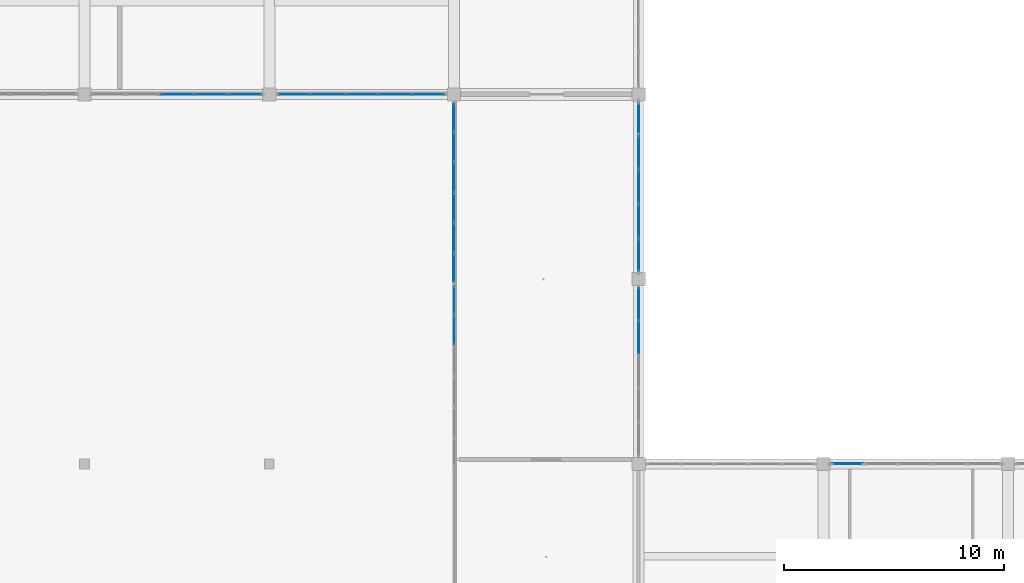
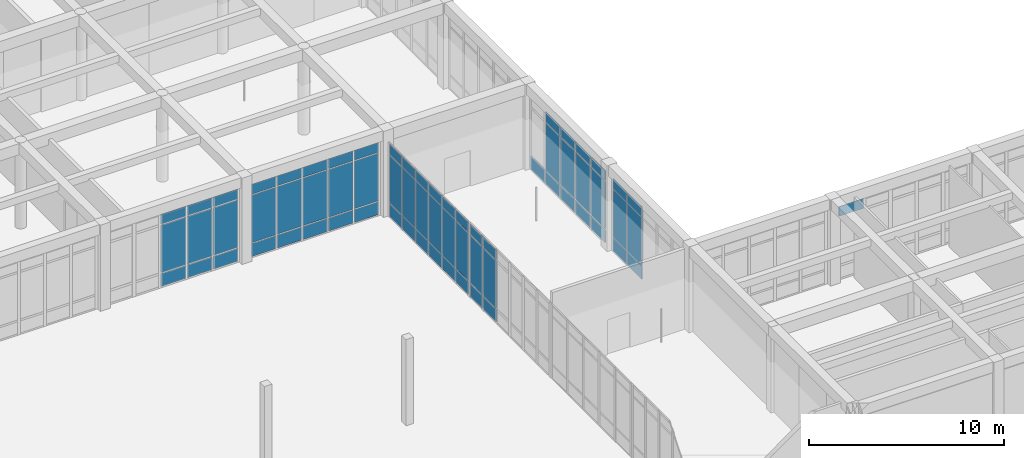
# One storey, part 64 of 157: 68 plates, 7 elements without a shape of their own.
"""IFC4 building model written with IfcOpenShell, lengths in metres."""

from ifc_helpers import new_model, si_unit, direction, frame, origin, origin_2d, place, context, subcontext, project, spatial, rectangle, extrude, material, layer, layer_set, type_object, element, aggregate, save


model = new_model("IFC4")

# Units and contexts
model_context = context("Model", 3, precision=1e-05, world=origin(), true_north=direction((0.0, 1.0)))
body_context = subcontext(model_context, "Body", "Model", "MODEL_VIEW")
ifc_project = project(units=[si_unit("LENGTHUNIT", "METRE"), si_unit("AREAUNIT", "SQUARE_METRE"), si_unit("VOLUMEUNIT", "CUBIC_METRE"), si_unit("PLANEANGLEUNIT", "RADIAN"), si_unit("MASSUNIT", "GRAM", prefix="KILO")], contexts=[model_context])

# Site, building, storey
site_placement = place(None, origin())
site = spatial("IfcSite", under=ifc_project, at=site_placement, CompositionType="ELEMENT")
building_placement = place(site_placement, origin())
building = spatial("IfcBuilding", under=site, at=building_placement, Name="Varncliffe General Hospital", CompositionType="ELEMENT")
storey_placement = place(building_placement, frame((0.0, 0.0, 5.39990234375)))
storey = spatial("IfcBuildingStorey", under=building, at=storey_placement, Name="L01", CompositionType="ELEMENT", Elevation=5.39990234375)

# Curtain wall, plates
ifc_material = material(Name="Triple low-E argon insulated vision glazing", Category="glass")
curtain_wall_type_1 = type_object("IfcCurtainWallType", Name="Unitised Glazed Curtain Wall CW70 (7724x4640)", PredefinedType="USERDEFINED", material=ifc_material)
curtain_wall_1_placement = place(storey_placement, origin())
curtain_wall_1 = element("IfcCurtainWall", 1, at=curtain_wall_1_placement, inside=storey, type_object=curtain_wall_type_1, Name="L01 Glazed Curtain Wall CW70-58", ObjectType="GLAZED CURTAIN WALL", PredefinedType="USERDEFINED")
ifc_layer_1 = layer(ifc_material, 0.0439453125)
ifc_layer_set_1 = layer_set([ifc_layer_1], Name="Triple low-E argon insulated vision glazing")
plate_type_1 = type_object("IfcPlateType", Name="Curtain Wall Glazing Panel CP12 (44mm)", PredefinedType="CURTAIN_PANEL", material=ifc_layer_set_1)
plate_1_placement = place(storey_placement, frame((117.60009765625, 48.07080078125, 0.06005859375), z_axis=(0.0, 0.0, 1.0), x_axis=(0.0, -1.0, 0.0)))
plate_1 = element("IfcPlate", 2, at=plate_1_placement, type_object=plate_type_1, Name="CW70 panel 1.1", PredefinedType="CURTAIN_PANEL", context=body_context, shape_type="SweptSolid", body=[
    extrude(rectangle(XDim=1.432373046875, YDim=0.0439453125, at=origin_2d()), origin(), (0.0, 0.0, 1.0), 0.81005859375),
])
plate_2_placement = place(storey_placement, frame((117.60009765625, 48.07080078125, 0.93017578125), z_axis=(0.0, 0.0, 1.0), x_axis=(0.0, -1.0, 0.0)))
plate_2 = element("IfcPlate", 3, at=plate_2_placement, type_object=plate_type_1, Name="CW70 panel 1.2", PredefinedType="CURTAIN_PANEL", context=body_context, shape_type="SweptSolid", body=[
    extrude(rectangle(XDim=1.432373046875, YDim=0.0439453125, at=origin_2d()), origin(), (0.0, 0.0, 1.0), 2.97998046875),
])
plate_3_placement = place(storey_placement, frame((117.60009765625, 48.07080078125, 3.97021484375), z_axis=(0.0, 0.0, 1.0), x_axis=(0.0, -1.0, 0.0)))
plate_3 = element("IfcPlate", 4, at=plate_3_placement, type_object=plate_type_1, Name="CW70 panel 1.3", PredefinedType="CURTAIN_PANEL", context=body_context, shape_type="SweptSolid", body=[
    extrude(rectangle(XDim=1.432373046875, YDim=0.0439453125, at=origin_2d()), origin(), (0.0, 0.0, 1.0), 0.610107421875),
])
plate_4_placement = place(storey_placement, frame((117.60009765625, 46.544921875, 0.06005859375), z_axis=(0.0, 0.0, 1.0), x_axis=(0.0, -1.0, 0.0)))
plate_4 = element("IfcPlate", 5, at=plate_4_placement, type_object=plate_type_1, Name="CW70 panel 2.1", PredefinedType="CURTAIN_PANEL", context=body_context, shape_type="SweptSolid", body=[
    extrude(rectangle(XDim=1.4697265625, YDim=0.0439453125, at=origin_2d()), origin(), (0.0, 0.0, 1.0), 0.81005859375),
])
plate_5_placement = place(storey_placement, frame((117.60009765625, 46.544921875, 0.93017578125), z_axis=(0.0, 0.0, 1.0), x_axis=(0.0, -1.0, 0.0)))
plate_5 = element("IfcPlate", 6, at=plate_5_placement, type_object=plate_type_1, Name="CW70 panel 2.2", PredefinedType="CURTAIN_PANEL", context=body_context, shape_type="SweptSolid", body=[
    extrude(rectangle(XDim=1.4697265625, YDim=0.0439453125, at=origin_2d()), origin(), (0.0, 0.0, 1.0), 2.97998046875),
])
plate_6_placement = place(storey_placement, frame((117.60009765625, 46.544921875, 3.97021484375), z_axis=(0.0, 0.0, 1.0), x_axis=(0.0, -1.0, 0.0)))
plate_6 = element("IfcPlate", 7, at=plate_6_placement, type_object=plate_type_1, Name="CW70 panel 2.3", PredefinedType="CURTAIN_PANEL", context=body_context, shape_type="SweptSolid", body=[
    extrude(rectangle(XDim=1.4697265625, YDim=0.0439453125, at=origin_2d()), origin(), (0.0, 0.0, 1.0), 0.610107421875),
])
aggregate(curtain_wall_1, [plate_1, plate_2, plate_3, plate_4, plate_5, plate_6])

curtain_wall_type_2 = type_object("IfcCurtainWallType", Name="Unitised Glazed Curtain Wall CW14 (8260x4640)", PredefinedType="USERDEFINED", material=ifc_material)
curtain_wall_2_placement = place(storey_placement, origin())
curtain_wall_2 = element("IfcCurtainWall", 8, at=curtain_wall_2_placement, inside=storey, type_object=curtain_wall_type_2, Name="L01 Glazed Curtain Wall CW14-100", ObjectType="GLAZED CURTAIN WALL", PredefinedType="USERDEFINED")
plate_7_placement = place(storey_placement, frame((109.199951171875, 49.708740234375, 0.06005859375), z_axis=(0.0, 0.0, 1.0), x_axis=(0.0, 1.0, 0.0)))
plate_7 = element("IfcPlate", 9, at=plate_7_placement, type_object=plate_type_1, Name="CW14 panel 1.1", PredefinedType="CURTAIN_PANEL", context=body_context, shape_type="SweptSolid", body=[
    extrude(rectangle(XDim=1.26416015625, YDim=0.0439453125, at=origin_2d()), origin(), (0.0, 0.0, 1.0), 0.81005859375),
])
plate_8_placement = place(storey_placement, frame((109.199951171875, 49.708740234375, 0.93017578125), z_axis=(0.0, 0.0, 1.0), x_axis=(0.0, 1.0, 0.0)))
plate_8 = element("IfcPlate", 10, at=plate_8_placement, type_object=plate_type_1, Name="CW14 panel 1.2", PredefinedType="CURTAIN_PANEL", context=body_context, shape_type="SweptSolid", body=[
    extrude(rectangle(XDim=1.26416015625, YDim=0.0439453125, at=origin_2d()), origin(), (0.0, 0.0, 1.0), 2.97998046875),
])
plate_9_placement = place(storey_placement, frame((109.199951171875, 49.708740234375, 3.97021484375), z_axis=(0.0, 0.0, 1.0), x_axis=(0.0, 1.0, 0.0)))
plate_9 = element("IfcPlate", 11, at=plate_9_placement, type_object=plate_type_1, Name="CW14 panel 1.3", PredefinedType="CURTAIN_PANEL", context=body_context, shape_type="SweptSolid", body=[
    extrude(rectangle(XDim=1.26416015625, YDim=0.0439453125, at=origin_2d()), origin(), (0.0, 0.0, 1.0), 0.610107421875),
])
plate_10_placement = place(storey_placement, frame((109.199951171875, 51.066650390625, 0.06005859375), z_axis=(0.0, 0.0, 1.0), x_axis=(0.0, 1.0, 0.0)))
plate_10 = element("IfcPlate", 12, at=plate_10_placement, type_object=plate_type_1, Name="CW14 panel 2.1", PredefinedType="CURTAIN_PANEL", context=body_context, shape_type="SweptSolid", body=[
    extrude(rectangle(XDim=1.3017578125, YDim=0.0439453125, at=origin_2d()), origin(), (0.0, 0.0, 1.0), 0.81005859375),
])
plate_11_placement = place(storey_placement, frame((109.199951171875, 51.066650390625, 0.93017578125), z_axis=(0.0, 0.0, 1.0), x_axis=(0.0, 1.0, 0.0)))
plate_11 = element("IfcPlate", 13, at=plate_11_placement, type_object=plate_type_1, Name="CW14 panel 2.2", PredefinedType="CURTAIN_PANEL", context=body_context, shape_type="SweptSolid", body=[
    extrude(rectangle(XDim=1.3017578125, YDim=0.0439453125, at=origin_2d()), origin(), (0.0, 0.0, 1.0), 2.97998046875),
])
plate_12_placement = place(storey_placement, frame((109.199951171875, 51.066650390625, 3.97021484375), z_axis=(0.0, 0.0, 1.0), x_axis=(0.0, 1.0, 0.0)))
plate_12 = element("IfcPlate", 14, at=plate_12_placement, type_object=plate_type_1, Name="CW14 panel 2.3", PredefinedType="CURTAIN_PANEL", context=body_context, shape_type="SweptSolid", body=[
    extrude(rectangle(XDim=1.3017578125, YDim=0.0439453125, at=origin_2d()), origin(), (0.0, 0.0, 1.0), 0.610107421875),
])
plate_13_placement = place(storey_placement, frame((109.199951171875, 52.443359375, 0.06005859375), z_axis=(0.0, 0.0, 1.0), x_axis=(0.0, 1.0, 0.0)))
plate_13 = element("IfcPlate", 15, at=plate_13_placement, type_object=plate_type_1, Name="CW14 panel 3.1", PredefinedType="CURTAIN_PANEL", context=body_context, shape_type="SweptSolid", body=[
    extrude(rectangle(XDim=1.3017578125, YDim=0.0439453125, at=origin_2d()), origin(), (0.0, 0.0, 1.0), 0.81005859375),
])
plate_14_placement = place(storey_placement, frame((109.199951171875, 52.443359375, 0.93017578125), z_axis=(0.0, 0.0, 1.0), x_axis=(0.0, 1.0, 0.0)))
plate_14 = element("IfcPlate", 16, at=plate_14_placement, type_object=plate_type_1, Name="CW14 panel 3.2", PredefinedType="CURTAIN_PANEL", context=body_context, shape_type="SweptSolid", body=[
    extrude(rectangle(XDim=1.3017578125, YDim=0.0439453125, at=origin_2d()), origin(), (0.0, 0.0, 1.0), 2.97998046875),
])
plate_15_placement = place(storey_placement, frame((109.199951171875, 52.443359375, 3.97021484375), z_axis=(0.0, 0.0, 1.0), x_axis=(0.0, 1.0, 0.0)))
plate_15 = element("IfcPlate", 17, at=plate_15_placement, type_object=plate_type_1, Name="CW14 panel 3.3", PredefinedType="CURTAIN_PANEL", context=body_context, shape_type="SweptSolid", body=[
    extrude(rectangle(XDim=1.3017578125, YDim=0.0439453125, at=origin_2d()), origin(), (0.0, 0.0, 1.0), 0.610107421875),
])
plate_16_placement = place(storey_placement, frame((109.199951171875, 53.820068359375, 0.06005859375), z_axis=(0.0, 0.0, 1.0), x_axis=(0.0, 1.0, 0.0)))
plate_16 = element("IfcPlate", 18, at=plate_16_placement, type_object=plate_type_1, Name="CW14 panel 4.1", PredefinedType="CURTAIN_PANEL", context=body_context, shape_type="SweptSolid", body=[
    extrude(rectangle(XDim=1.3017578125, YDim=0.0439453125, at=origin_2d()), origin(), (0.0, 0.0, 1.0), 0.81005859375),
])
plate_17_placement = place(storey_placement, frame((109.199951171875, 53.820068359375, 0.93017578125), z_axis=(0.0, 0.0, 1.0), x_axis=(0.0, 1.0, 0.0)))
plate_17 = element("IfcPlate", 19, at=plate_17_placement, type_object=plate_type_1, Name="CW14 panel 4.2", PredefinedType="CURTAIN_PANEL", context=body_context, shape_type="SweptSolid", body=[
    extrude(rectangle(XDim=1.3017578125, YDim=0.0439453125, at=origin_2d()), origin(), (0.0, 0.0, 1.0), 2.97998046875),
])
plate_18_placement = place(storey_placement, frame((109.199951171875, 53.820068359375, 3.97021484375), z_axis=(0.0, 0.0, 1.0), x_axis=(0.0, 1.0, 0.0)))
plate_18 = element("IfcPlate", 20, at=plate_18_placement, type_object=plate_type_1, Name="CW14 panel 4.3", PredefinedType="CURTAIN_PANEL", context=body_context, shape_type="SweptSolid", body=[
    extrude(rectangle(XDim=1.3017578125, YDim=0.0439453125, at=origin_2d()), origin(), (0.0, 0.0, 1.0), 0.610107421875),
])
plate_19_placement = place(storey_placement, frame((109.199951171875, 55.197021484375, 0.06005859375), z_axis=(0.0, 0.0, 1.0), x_axis=(0.0, 1.0, 0.0)))
plate_19 = element("IfcPlate", 21, at=plate_19_placement, type_object=plate_type_1, Name="CW14 panel 5.1", PredefinedType="CURTAIN_PANEL", context=body_context, shape_type="SweptSolid", body=[
    extrude(rectangle(XDim=1.3017578125, YDim=0.0439453125, at=origin_2d()), origin(), (0.0, 0.0, 1.0), 0.81005859375),
])
plate_20_placement = place(storey_placement, frame((109.199951171875, 55.197021484375, 0.93017578125), z_axis=(0.0, 0.0, 1.0), x_axis=(0.0, 1.0, 0.0)))
plate_20 = element("IfcPlate", 22, at=plate_20_placement, type_object=plate_type_1, Name="CW14 panel 5.2", PredefinedType="CURTAIN_PANEL", context=body_context, shape_type="SweptSolid", body=[
    extrude(rectangle(XDim=1.3017578125, YDim=0.0439453125, at=origin_2d()), origin(), (0.0, 0.0, 1.0), 2.97998046875),
])
plate_21_placement = place(storey_placement, frame((109.199951171875, 55.197021484375, 3.97021484375), z_axis=(0.0, 0.0, 1.0), x_axis=(0.0, 1.0, 0.0)))
plate_21 = element("IfcPlate", 23, at=plate_21_placement, type_object=plate_type_1, Name="CW14 panel 5.3", PredefinedType="CURTAIN_PANEL", context=body_context, shape_type="SweptSolid", body=[
    extrude(rectangle(XDim=1.3017578125, YDim=0.0439453125, at=origin_2d()), origin(), (0.0, 0.0, 1.0), 0.610107421875),
])
plate_22_placement = place(storey_placement, frame((109.199951171875, 56.554931640625, 0.06005859375), z_axis=(0.0, 0.0, 1.0), x_axis=(0.0, 1.0, 0.0)))
plate_22 = element("IfcPlate", 24, at=plate_22_placement, type_object=plate_type_1, Name="CW14 panel 6.1", PredefinedType="CURTAIN_PANEL", context=body_context, shape_type="SweptSolid", body=[
    extrude(rectangle(XDim=1.26416015625, YDim=0.0439453125, at=origin_2d()), origin(), (0.0, 0.0, 1.0), 0.81005859375),
])
plate_23_placement = place(storey_placement, frame((109.199951171875, 56.554931640625, 0.93017578125), z_axis=(0.0, 0.0, 1.0), x_axis=(0.0, 1.0, 0.0)))
plate_23 = element("IfcPlate", 25, at=plate_23_placement, type_object=plate_type_1, Name="CW14 panel 6.2", PredefinedType="CURTAIN_PANEL", context=body_context, shape_type="SweptSolid", body=[
    extrude(rectangle(XDim=1.26416015625, YDim=0.0439453125, at=origin_2d()), origin(), (0.0, 0.0, 1.0), 2.97998046875),
])
plate_24_placement = place(storey_placement, frame((109.199951171875, 56.554931640625, 3.97021484375), z_axis=(0.0, 0.0, 1.0), x_axis=(0.0, 1.0, 0.0)))
plate_24 = element("IfcPlate", 26, at=plate_24_placement, type_object=plate_type_1, Name="CW14 panel 6.3", PredefinedType="CURTAIN_PANEL", context=body_context, shape_type="SweptSolid", body=[
    extrude(rectangle(XDim=1.26416015625, YDim=0.0439453125, at=origin_2d()), origin(), (0.0, 0.0, 1.0), 0.610107421875),
])
aggregate(curtain_wall_2, [plate_7, plate_8, plate_9, plate_10, plate_11, plate_12, plate_13, plate_14, plate_15, plate_16, plate_17, plate_18, plate_19, plate_20, plate_21, plate_22, plate_23, plate_24])

curtain_wall_type_3 = type_object("IfcCurtainWallType", Name="Unitised Glazed Curtain Wall CW85 (7804x4640)", PredefinedType="USERDEFINED", material=ifc_material)
curtain_wall_3_placement = place(storey_placement, origin())
curtain_wall_3 = element("IfcCurtainWall", 27, at=curtain_wall_3_placement, inside=storey, type_object=curtain_wall_type_3, Name="L01 Glazed Curtain Wall CW85-57", ObjectType="GLAZED CURTAIN WALL", PredefinedType="USERDEFINED")
ifc_layer_2 = layer(ifc_material, 0.035888671875)
ifc_layer_set_2 = layer_set([ifc_layer_2], Name="Triple low-E argon insulated vision glazing")
plate_type_2 = type_object("IfcPlateType", Name="Curtain Wall Glazing Panel CP27 (36mm)", PredefinedType="CURTAIN_PANEL", material=ifc_layer_set_2)
plate_25_placement = place(storey_placement, frame((117.60009765625, 56.5029296875, 0.06494140625), z_axis=(0.0, 0.0, 1.0), x_axis=(0.0, -1.0, 0.0)))
plate_25 = element("IfcPlate", 28, at=plate_25_placement, type_object=plate_type_2, Name="CW85 panel 1.1", PredefinedType="CURTAIN_PANEL", context=body_context, shape_type="SweptSolid", body=[
    extrude(rectangle(XDim=1.4482421875, YDim=0.035888671875, at=origin_2d()), origin(), (0.0, 0.0, 1.0), 0.802490234375),
])
plate_26_placement = place(storey_placement, frame((117.60009765625, 54.960693359375, 0.06494140625), z_axis=(0.0, 0.0, 1.0), x_axis=(0.0, -1.0, 0.0)))
plate_26 = element("IfcPlate", 29, at=plate_26_placement, type_object=plate_type_2, Name="CW85 panel 2.1", PredefinedType="CURTAIN_PANEL", context=body_context, shape_type="SweptSolid", body=[
    extrude(rectangle(XDim=1.48583984375, YDim=0.035888671875, at=origin_2d()), origin(), (0.0, 0.0, 1.0), 0.802490234375),
])
plate_27_placement = place(storey_placement, frame((117.60009765625, 54.960693359375, 0.9326171875), z_axis=(0.0, 0.0, 1.0), x_axis=(0.0, -1.0, 0.0)))
plate_27 = element("IfcPlate", 30, at=plate_27_placement, type_object=plate_type_2, Name="CW85 panel 2.2", PredefinedType="CURTAIN_PANEL", context=body_context, shape_type="SweptSolid", body=[
    extrude(rectangle(XDim=1.48583984375, YDim=0.035888671875, at=origin_2d()), origin(), (0.0, 0.0, 1.0), 2.97509765625),
])
plate_28_placement = place(storey_placement, frame((117.60009765625, 54.960693359375, 3.97265625), z_axis=(0.0, 0.0, 1.0), x_axis=(0.0, -1.0, 0.0)))
plate_28 = element("IfcPlate", 31, at=plate_28_placement, type_object=plate_type_2, Name="CW85 panel 2.3", PredefinedType="CURTAIN_PANEL", context=body_context, shape_type="SweptSolid", body=[
    extrude(rectangle(XDim=1.48583984375, YDim=0.035888671875, at=origin_2d()), origin(), (0.0, 0.0, 1.0), 0.6025390625),
])
plate_29_placement = place(storey_placement, frame((117.60009765625, 53.39990234375, 0.06494140625), z_axis=(0.0, 0.0, 1.0), x_axis=(0.0, -1.0, 0.0)))
plate_29 = element("IfcPlate", 32, at=plate_29_placement, type_object=plate_type_2, Name="CW85 panel 3.1", PredefinedType="CURTAIN_PANEL", context=body_context, shape_type="SweptSolid", body=[
    extrude(rectangle(XDim=1.48583984375, YDim=0.035888671875, at=origin_2d()), origin(), (0.0, 0.0, 1.0), 0.802490234375),
])
plate_30_placement = place(storey_placement, frame((117.60009765625, 53.39990234375, 0.9326171875), z_axis=(0.0, 0.0, 1.0), x_axis=(0.0, -1.0, 0.0)))
plate_30 = element("IfcPlate", 33, at=plate_30_placement, type_object=plate_type_2, Name="CW85 panel 3.2", PredefinedType="CURTAIN_PANEL", context=body_context, shape_type="SweptSolid", body=[
    extrude(rectangle(XDim=1.48583984375, YDim=0.035888671875, at=origin_2d()), origin(), (0.0, 0.0, 1.0), 2.97509765625),
])
plate_31_placement = place(storey_placement, frame((117.60009765625, 53.39990234375, 3.97265625), z_axis=(0.0, 0.0, 1.0), x_axis=(0.0, -1.0, 0.0)))
plate_31 = element("IfcPlate", 34, at=plate_31_placement, type_object=plate_type_2, Name="CW85 panel 3.3", PredefinedType="CURTAIN_PANEL", context=body_context, shape_type="SweptSolid", body=[
    extrude(rectangle(XDim=1.48583984375, YDim=0.035888671875, at=origin_2d()), origin(), (0.0, 0.0, 1.0), 0.6025390625),
])
plate_32_placement = place(storey_placement, frame((117.60009765625, 51.839111328125, 0.06494140625), z_axis=(0.0, 0.0, 1.0), x_axis=(0.0, -1.0, 0.0)))
plate_32 = element("IfcPlate", 35, at=plate_32_placement, type_object=plate_type_2, Name="CW85 panel 4.1", PredefinedType="CURTAIN_PANEL", context=body_context, shape_type="SweptSolid", body=[
    extrude(rectangle(XDim=1.48583984375, YDim=0.035888671875, at=origin_2d()), origin(), (0.0, 0.0, 1.0), 0.802490234375),
])
plate_33_placement = place(storey_placement, frame((117.60009765625, 51.839111328125, 0.9326171875), z_axis=(0.0, 0.0, 1.0), x_axis=(0.0, -1.0, 0.0)))
plate_33 = element("IfcPlate", 36, at=plate_33_placement, type_object=plate_type_2, Name="CW85 panel 4.2", PredefinedType="CURTAIN_PANEL", context=body_context, shape_type="SweptSolid", body=[
    extrude(rectangle(XDim=1.48583984375, YDim=0.035888671875, at=origin_2d()), origin(), (0.0, 0.0, 1.0), 2.97509765625),
])
plate_34_placement = place(storey_placement, frame((117.60009765625, 51.839111328125, 3.97265625), z_axis=(0.0, 0.0, 1.0), x_axis=(0.0, -1.0, 0.0)))
plate_34 = element("IfcPlate", 37, at=plate_34_placement, type_object=plate_type_2, Name="CW85 panel 4.3", PredefinedType="CURTAIN_PANEL", context=body_context, shape_type="SweptSolid", body=[
    extrude(rectangle(XDim=1.48583984375, YDim=0.035888671875, at=origin_2d()), origin(), (0.0, 0.0, 1.0), 0.6025390625),
])
plate_35_placement = place(storey_placement, frame((117.60009765625, 50.297119140625, 0.06494140625), z_axis=(0.0, 0.0, 1.0), x_axis=(0.0, -1.0, 0.0)))
plate_35 = element("IfcPlate", 38, at=plate_35_placement, type_object=plate_type_2, Name="CW85 panel 5.1", PredefinedType="CURTAIN_PANEL", context=body_context, shape_type="SweptSolid", body=[
    extrude(rectangle(XDim=1.4482421875, YDim=0.035888671875, at=origin_2d()), origin(), (0.0, 0.0, 1.0), 0.802490234375),
])
plate_36_placement = place(storey_placement, frame((117.60009765625, 50.297119140625, 0.9326171875), z_axis=(0.0, 0.0, 1.0), x_axis=(0.0, -1.0, 0.0)))
plate_36 = element("IfcPlate", 39, at=plate_36_placement, type_object=plate_type_2, Name="CW85 panel 5.2", PredefinedType="CURTAIN_PANEL", context=body_context, shape_type="SweptSolid", body=[
    extrude(rectangle(XDim=1.4482421875, YDim=0.035888671875, at=origin_2d()), origin(), (0.0, 0.0, 1.0), 2.97509765625),
])
plate_37_placement = place(storey_placement, frame((117.60009765625, 50.297119140625, 3.97265625), z_axis=(0.0, 0.0, 1.0), x_axis=(0.0, -1.0, 0.0)))
plate_37 = element("IfcPlate", 40, at=plate_37_placement, type_object=plate_type_2, Name="CW85 panel 5.3", PredefinedType="CURTAIN_PANEL", context=body_context, shape_type="SweptSolid", body=[
    extrude(rectangle(XDim=1.4482421875, YDim=0.035888671875, at=origin_2d()), origin(), (0.0, 0.0, 1.0), 0.6025390625),
])
aggregate(curtain_wall_3, [plate_25, plate_26, plate_27, plate_28, plate_29, plate_30, plate_31, plate_32, plate_33, plate_34, plate_35, plate_36, plate_37])

# Curtain wall, plate
curtain_wall_4_placement = place(storey_placement, origin())
curtain_wall_4 = element("IfcCurtainWall", 41, at=curtain_wall_4_placement, inside=storey, type_object=curtain_wall_type_3, Name="L01 Glazed Curtain Wall CW85-60", ObjectType="GLAZED CURTAIN WALL", PredefinedType="USERDEFINED")
plate_38_placement = place(storey_placement, frame((127.09716796875, 40.800048828125, 3.97265625), z_axis=(0.0, 0.0, 1.0), x_axis=(1.0, 0.0, 0.0)))
plate_38 = element("IfcPlate", 42, at=plate_38_placement, type_object=plate_type_2, Name="CW85 panel 1.3", PredefinedType="CURTAIN_PANEL", context=body_context, shape_type="SweptSolid", body=[
    extrude(rectangle(XDim=1.4482421875, YDim=0.035888671875, at=origin_2d()), origin(), (0.0, 0.0, 1.0), 0.6025390625),
])
aggregate(curtain_wall_4, [plate_38])

# Curtain wall, plates
curtain_wall_type_4 = type_object("IfcCurtainWallType", Name="Unitised Glazed Curtain Wall CW86 (8340x4640)", PredefinedType="USERDEFINED", material=ifc_material)
curtain_wall_5_placement = place(storey_placement, origin())
curtain_wall_5 = element("IfcCurtainWall", 43, at=curtain_wall_5_placement, inside=storey, type_object=curtain_wall_type_4, Name="L01 Glazed Curtain Wall CW86-99", ObjectType="GLAZED CURTAIN WALL", PredefinedType="USERDEFINED")
plate_39_placement = place(storey_placement, frame((109.199951171875, 46.87646484375, 0.06494140625), z_axis=(0.0, 0.0, 1.0), x_axis=(0.0, 1.0, 0.0)))
plate_39 = element("IfcPlate", 44, at=plate_39_placement, type_object=plate_type_2, Name="CW86 panel 5.1", PredefinedType="CURTAIN_PANEL", context=body_context, shape_type="SweptSolid", body=[
    extrude(rectangle(XDim=1.315185546875, YDim=0.035888671875, at=origin_2d()), origin(), (0.0, 0.0, 1.0), 0.802490234375),
])
plate_40_placement = place(storey_placement, frame((109.199951171875, 46.87646484375, 0.9326171875), z_axis=(0.0, 0.0, 1.0), x_axis=(0.0, 1.0, 0.0)))
plate_40 = element("IfcPlate", 45, at=plate_40_placement, type_object=plate_type_2, Name="CW86 panel 5.2", PredefinedType="CURTAIN_PANEL", context=body_context, shape_type="SweptSolid", body=[
    extrude(rectangle(XDim=1.315185546875, YDim=0.035888671875, at=origin_2d()), origin(), (0.0, 0.0, 1.0), 2.97509765625),
])
plate_41_placement = place(storey_placement, frame((109.199951171875, 46.87646484375, 3.97265625), z_axis=(0.0, 0.0, 1.0), x_axis=(0.0, 1.0, 0.0)))
plate_41 = element("IfcPlate", 46, at=plate_41_placement, type_object=plate_type_2, Name="CW86 panel 5.3", PredefinedType="CURTAIN_PANEL", context=body_context, shape_type="SweptSolid", body=[
    extrude(rectangle(XDim=1.315185546875, YDim=0.035888671875, at=origin_2d()), origin(), (0.0, 0.0, 1.0), 0.6025390625),
])
plate_42_placement = place(storey_placement, frame((109.199951171875, 48.247802734375, 0.06494140625), z_axis=(0.0, 0.0, 1.0), x_axis=(0.0, 1.0, 0.0)))
plate_42 = element("IfcPlate", 47, at=plate_42_placement, type_object=plate_type_2, Name="CW86 panel 6.1", PredefinedType="CURTAIN_PANEL", context=body_context, shape_type="SweptSolid", body=[
    extrude(rectangle(XDim=1.277587890625, YDim=0.035888671875, at=origin_2d()), origin(), (0.0, 0.0, 1.0), 0.802490234375),
])
plate_43_placement = place(storey_placement, frame((109.199951171875, 48.247802734375, 0.9326171875), z_axis=(0.0, 0.0, 1.0), x_axis=(0.0, 1.0, 0.0)))
plate_43 = element("IfcPlate", 48, at=plate_43_placement, type_object=plate_type_2, Name="CW86 panel 6.2", PredefinedType="CURTAIN_PANEL", context=body_context, shape_type="SweptSolid", body=[
    extrude(rectangle(XDim=1.277587890625, YDim=0.035888671875, at=origin_2d()), origin(), (0.0, 0.0, 1.0), 2.97509765625),
])
plate_44_placement = place(storey_placement, frame((109.199951171875, 48.247802734375, 3.97265625), z_axis=(0.0, 0.0, 1.0), x_axis=(0.0, 1.0, 0.0)))
plate_44 = element("IfcPlate", 49, at=plate_44_placement, type_object=plate_type_2, Name="CW86 panel 6.3", PredefinedType="CURTAIN_PANEL", context=body_context, shape_type="SweptSolid", body=[
    extrude(rectangle(XDim=1.277587890625, YDim=0.035888671875, at=origin_2d()), origin(), (0.0, 0.0, 1.0), 0.6025390625),
])
aggregate(curtain_wall_5, [plate_39, plate_40, plate_41, plate_42, plate_43, plate_44])

curtain_wall_6_placement = place(storey_placement, origin())
curtain_wall_6 = element("IfcCurtainWall", 50, at=curtain_wall_6_placement, inside=storey, type_object=curtain_wall_type_3, Name="L01 Glazed Curtain Wall CW85-102", ObjectType="GLAZED CURTAIN WALL", PredefinedType="USERDEFINED")
plate_45_placement = place(storey_placement, frame((99.702880859375, 57.60009765625, 0.06494140625), z_axis=(0.0, 0.0, 1.0), x_axis=(-1.0, 0.0, 0.0)))
plate_45 = element("IfcPlate", 51, at=plate_45_placement, type_object=plate_type_2, Name="CW85 panel 1.1", PredefinedType="CURTAIN_PANEL", context=body_context, shape_type="SweptSolid", body=[
    extrude(rectangle(XDim=1.4482421875, YDim=0.035888671875, at=origin_2d()), origin(), (0.0, 0.0, 1.0), 0.802490234375),
])
plate_46_placement = place(storey_placement, frame((99.702880859375, 57.60009765625, 0.9326171875), z_axis=(0.0, 0.0, 1.0), x_axis=(-1.0, 0.0, 0.0)))
plate_46 = element("IfcPlate", 52, at=plate_46_placement, type_object=plate_type_2, Name="CW85 panel 1.2", PredefinedType="CURTAIN_PANEL", context=body_context, shape_type="SweptSolid", body=[
    extrude(rectangle(XDim=1.4482421875, YDim=0.035888671875, at=origin_2d()), origin(), (0.0, 0.0, 1.0), 2.97509765625),
])
plate_47_placement = place(storey_placement, frame((99.702880859375, 57.60009765625, 3.97265625), z_axis=(0.0, 0.0, 1.0), x_axis=(-1.0, 0.0, 0.0)))
plate_47 = element("IfcPlate", 53, at=plate_47_placement, type_object=plate_type_2, Name="CW85 panel 1.3", PredefinedType="CURTAIN_PANEL", context=body_context, shape_type="SweptSolid", body=[
    extrude(rectangle(XDim=1.4482421875, YDim=0.035888671875, at=origin_2d()), origin(), (0.0, 0.0, 1.0), 0.6025390625),
])
plate_48_placement = place(storey_placement, frame((98.160888671875, 57.60009765625, 0.06494140625), z_axis=(0.0, 0.0, 1.0), x_axis=(-1.0, 0.0, 0.0)))
plate_48 = element("IfcPlate", 54, at=plate_48_placement, type_object=plate_type_2, Name="CW85 panel 2.1", PredefinedType="CURTAIN_PANEL", context=body_context, shape_type="SweptSolid", body=[
    extrude(rectangle(XDim=1.48583984375, YDim=0.035888671875, at=origin_2d()), origin(), (0.0, 0.0, 1.0), 0.802490234375),
])
plate_49_placement = place(storey_placement, frame((98.160888671875, 57.60009765625, 0.9326171875), z_axis=(0.0, 0.0, 1.0), x_axis=(-1.0, 0.0, 0.0)))
plate_49 = element("IfcPlate", 55, at=plate_49_placement, type_object=plate_type_2, Name="CW85 panel 2.2", PredefinedType="CURTAIN_PANEL", context=body_context, shape_type="SweptSolid", body=[
    extrude(rectangle(XDim=1.48583984375, YDim=0.035888671875, at=origin_2d()), origin(), (0.0, 0.0, 1.0), 2.97509765625),
])
plate_50_placement = place(storey_placement, frame((98.160888671875, 57.60009765625, 3.97265625), z_axis=(0.0, 0.0, 1.0), x_axis=(-1.0, 0.0, 0.0)))
plate_50 = element("IfcPlate", 56, at=plate_50_placement, type_object=plate_type_2, Name="CW85 panel 2.3", PredefinedType="CURTAIN_PANEL", context=body_context, shape_type="SweptSolid", body=[
    extrude(rectangle(XDim=1.48583984375, YDim=0.035888671875, at=origin_2d()), origin(), (0.0, 0.0, 1.0), 0.6025390625),
])
plate_51_placement = place(storey_placement, frame((96.60009765625, 57.60009765625, 0.06494140625), z_axis=(0.0, 0.0, 1.0), x_axis=(-1.0, 0.0, 0.0)))
plate_51 = element("IfcPlate", 57, at=plate_51_placement, type_object=plate_type_2, Name="CW85 panel 3.1", PredefinedType="CURTAIN_PANEL", context=body_context, shape_type="SweptSolid", body=[
    extrude(rectangle(XDim=1.48583984375, YDim=0.035888671875, at=origin_2d()), origin(), (0.0, 0.0, 1.0), 0.802490234375),
])
plate_52_placement = place(storey_placement, frame((96.60009765625, 57.60009765625, 0.9326171875), z_axis=(0.0, 0.0, 1.0), x_axis=(-1.0, 0.0, 0.0)))
plate_52 = element("IfcPlate", 58, at=plate_52_placement, type_object=plate_type_2, Name="CW85 panel 3.2", PredefinedType="CURTAIN_PANEL", context=body_context, shape_type="SweptSolid", body=[
    extrude(rectangle(XDim=1.48583984375, YDim=0.035888671875, at=origin_2d()), origin(), (0.0, 0.0, 1.0), 2.97509765625),
])
plate_53_placement = place(storey_placement, frame((96.60009765625, 57.60009765625, 3.97265625), z_axis=(0.0, 0.0, 1.0), x_axis=(-1.0, 0.0, 0.0)))
plate_53 = element("IfcPlate", 59, at=plate_53_placement, type_object=plate_type_2, Name="CW85 panel 3.3", PredefinedType="CURTAIN_PANEL", context=body_context, shape_type="SweptSolid", body=[
    extrude(rectangle(XDim=1.48583984375, YDim=0.035888671875, at=origin_2d()), origin(), (0.0, 0.0, 1.0), 0.6025390625),
])
aggregate(curtain_wall_6, [plate_45, plate_46, plate_47, plate_48, plate_49, plate_50, plate_51, plate_52, plate_53])

curtain_wall_type_5 = type_object("IfcCurtainWallType", Name="Unitised Glazed Curtain Wall CW27 (7644x4640)", PredefinedType="USERDEFINED", material=ifc_material)
curtain_wall_7_placement = place(storey_placement, origin())
curtain_wall_7 = element("IfcCurtainWall", 60, at=curtain_wall_7_placement, inside=storey, type_object=curtain_wall_type_5, Name="L01 Glazed Curtain Wall CW27-101", ObjectType="GLAZED CURTAIN WALL", PredefinedType="USERDEFINED")
ifc_layer_3 = layer(ifc_material, 0.028076171875)
ifc_layer_set_3 = layer_set([ifc_layer_3], Name="Triple low-E argon insulated vision glazing")
plate_type_3 = type_object("IfcPlateType", Name="Curtain Wall Glazing Panel CP48 (28mm)", PredefinedType="CURTAIN_PANEL", material=ifc_layer_set_3)
plate_54_placement = place(storey_placement, frame((108.041259765625, 57.60009765625, 0.06005859375), z_axis=(0.0, 0.0, 1.0), x_axis=(-1.0, 0.0, 0.0)))
plate_54 = element("IfcPlate", 61, at=plate_54_placement, type_object=plate_type_3, Name="CW27 panel 1.1", PredefinedType="CURTAIN_PANEL", context=body_context, shape_type="SweptSolid", body=[
    extrude(rectangle(XDim=1.431396484375, YDim=0.028076171875, at=origin_2d()), origin(), (0.0, 0.0, 1.0), 0.81005859375),
])
plate_55_placement = place(storey_placement, frame((108.041259765625, 57.60009765625, 0.93017578125), z_axis=(0.0, 0.0, 1.0), x_axis=(-1.0, 0.0, 0.0)))
plate_55 = element("IfcPlate", 62, at=plate_55_placement, type_object=plate_type_3, Name="CW27 panel 1.2", PredefinedType="CURTAIN_PANEL", context=body_context, shape_type="SweptSolid", body=[
    extrude(rectangle(XDim=1.431396484375, YDim=0.028076171875, at=origin_2d()), origin(), (0.0, 0.0, 1.0), 2.97998046875),
])
plate_56_placement = place(storey_placement, frame((108.041259765625, 57.60009765625, 3.97021484375), z_axis=(0.0, 0.0, 1.0), x_axis=(-1.0, 0.0, 0.0)))
plate_56 = element("IfcPlate", 63, at=plate_56_placement, type_object=plate_type_3, Name="CW27 panel 1.3", PredefinedType="CURTAIN_PANEL", context=body_context, shape_type="SweptSolid", body=[
    extrude(rectangle(XDim=1.431396484375, YDim=0.028076171875, at=origin_2d()), origin(), (0.0, 0.0, 1.0), 0.610107421875),
])
plate_57_placement = place(storey_placement, frame((106.52880859375, 57.60009765625, 0.06005859375), z_axis=(0.0, 0.0, 1.0), x_axis=(-1.0, 0.0, 0.0)))
plate_57 = element("IfcPlate", 64, at=plate_57_placement, type_object=plate_type_3, Name="CW27 panel 2.1", PredefinedType="CURTAIN_PANEL", context=body_context, shape_type="SweptSolid", body=[
    extrude(rectangle(XDim=1.4638671875, YDim=0.028076171875, at=origin_2d()), origin(), (0.0, 0.0, 1.0), 0.81005859375),
])
plate_58_placement = place(storey_placement, frame((106.52880859375, 57.60009765625, 0.93017578125), z_axis=(0.0, 0.0, 1.0), x_axis=(-1.0, 0.0, 0.0)))
plate_58 = element("IfcPlate", 65, at=plate_58_placement, type_object=plate_type_3, Name="CW27 panel 2.2", PredefinedType="CURTAIN_PANEL", context=body_context, shape_type="SweptSolid", body=[
    extrude(rectangle(XDim=1.4638671875, YDim=0.028076171875, at=origin_2d()), origin(), (0.0, 0.0, 1.0), 2.97998046875),
])
plate_59_placement = place(storey_placement, frame((106.52880859375, 57.60009765625, 3.97021484375), z_axis=(0.0, 0.0, 1.0), x_axis=(-1.0, 0.0, 0.0)))
plate_59 = element("IfcPlate", 66, at=plate_59_placement, type_object=plate_type_3, Name="CW27 panel 2.3", PredefinedType="CURTAIN_PANEL", context=body_context, shape_type="SweptSolid", body=[
    extrude(rectangle(XDim=1.4638671875, YDim=0.028076171875, at=origin_2d()), origin(), (0.0, 0.0, 1.0), 0.610107421875),
])
plate_60_placement = place(storey_placement, frame((105.0, 57.60009765625, 0.06005859375), z_axis=(0.0, 0.0, 1.0), x_axis=(-1.0, 0.0, 0.0)))
plate_60 = element("IfcPlate", 67, at=plate_60_placement, type_object=plate_type_3, Name="CW27 panel 3.1", PredefinedType="CURTAIN_PANEL", context=body_context, shape_type="SweptSolid", body=[
    extrude(rectangle(XDim=1.4638671875, YDim=0.028076171875, at=origin_2d()), origin(), (0.0, 0.0, 1.0), 0.81005859375),
])
plate_61_placement = place(storey_placement, frame((105.0, 57.60009765625, 0.93017578125), z_axis=(0.0, 0.0, 1.0), x_axis=(-1.0, 0.0, 0.0)))
plate_61 = element("IfcPlate", 68, at=plate_61_placement, type_object=plate_type_3, Name="CW27 panel 3.2", PredefinedType="CURTAIN_PANEL", context=body_context, shape_type="SweptSolid", body=[
    extrude(rectangle(XDim=1.4638671875, YDim=0.028076171875, at=origin_2d()), origin(), (0.0, 0.0, 1.0), 2.97998046875),
])
plate_62_placement = place(storey_placement, frame((105.0, 57.60009765625, 3.97021484375), z_axis=(0.0, 0.0, 1.0), x_axis=(-1.0, 0.0, 0.0)))
plate_62 = element("IfcPlate", 69, at=plate_62_placement, type_object=plate_type_3, Name="CW27 panel 3.3", PredefinedType="CURTAIN_PANEL", context=body_context, shape_type="SweptSolid", body=[
    extrude(rectangle(XDim=1.4638671875, YDim=0.028076171875, at=origin_2d()), origin(), (0.0, 0.0, 1.0), 0.610107421875),
])
plate_63_placement = place(storey_placement, frame((103.47119140625, 57.60009765625, 0.06005859375), z_axis=(0.0, 0.0, 1.0), x_axis=(-1.0, 0.0, 0.0)))
plate_63 = element("IfcPlate", 70, at=plate_63_placement, type_object=plate_type_3, Name="CW27 panel 4.1", PredefinedType="CURTAIN_PANEL", context=body_context, shape_type="SweptSolid", body=[
    extrude(rectangle(XDim=1.4638671875, YDim=0.028076171875, at=origin_2d()), origin(), (0.0, 0.0, 1.0), 0.81005859375),
])
plate_64_placement = place(storey_placement, frame((103.47119140625, 57.60009765625, 0.93017578125), z_axis=(0.0, 0.0, 1.0), x_axis=(-1.0, 0.0, 0.0)))
plate_64 = element("IfcPlate", 71, at=plate_64_placement, type_object=plate_type_3, Name="CW27 panel 4.2", PredefinedType="CURTAIN_PANEL", context=body_context, shape_type="SweptSolid", body=[
    extrude(rectangle(XDim=1.4638671875, YDim=0.028076171875, at=origin_2d()), origin(), (0.0, 0.0, 1.0), 2.97998046875),
])
plate_65_placement = place(storey_placement, frame((103.47119140625, 57.60009765625, 3.97021484375), z_axis=(0.0, 0.0, 1.0), x_axis=(-1.0, 0.0, 0.0)))
plate_65 = element("IfcPlate", 72, at=plate_65_placement, type_object=plate_type_3, Name="CW27 panel 4.3", PredefinedType="CURTAIN_PANEL", context=body_context, shape_type="SweptSolid", body=[
    extrude(rectangle(XDim=1.4638671875, YDim=0.028076171875, at=origin_2d()), origin(), (0.0, 0.0, 1.0), 0.610107421875),
])
plate_66_placement = place(storey_placement, frame((101.958740234375, 57.60009765625, 0.06005859375), z_axis=(0.0, 0.0, 1.0), x_axis=(-1.0, 0.0, 0.0)))
plate_66 = element("IfcPlate", 73, at=plate_66_placement, type_object=plate_type_3, Name="CW27 panel 5.1", PredefinedType="CURTAIN_PANEL", context=body_context, shape_type="SweptSolid", body=[
    extrude(rectangle(XDim=1.431396484375, YDim=0.028076171875, at=origin_2d()), origin(), (0.0, 0.0, 1.0), 0.81005859375),
])
plate_67_placement = place(storey_placement, frame((101.958740234375, 57.60009765625, 0.93017578125), z_axis=(0.0, 0.0, 1.0), x_axis=(-1.0, 0.0, 0.0)))
plate_67 = element("IfcPlate", 74, at=plate_67_placement, type_object=plate_type_3, Name="CW27 panel 5.2", PredefinedType="CURTAIN_PANEL", context=body_context, shape_type="SweptSolid", body=[
    extrude(rectangle(XDim=1.431396484375, YDim=0.028076171875, at=origin_2d()), origin(), (0.0, 0.0, 1.0), 2.97998046875),
])
plate_68_placement = place(storey_placement, frame((101.958740234375, 57.60009765625, 3.97021484375), z_axis=(0.0, 0.0, 1.0), x_axis=(-1.0, 0.0, 0.0)))
plate_68 = element("IfcPlate", 75, at=plate_68_placement, type_object=plate_type_3, Name="CW27 panel 5.3", PredefinedType="CURTAIN_PANEL", context=body_context, shape_type="SweptSolid", body=[
    extrude(rectangle(XDim=1.431396484375, YDim=0.028076171875, at=origin_2d()), origin(), (0.0, 0.0, 1.0), 0.610107421875),
])
aggregate(curtain_wall_7, [plate_54, plate_55, plate_56, plate_57, plate_58, plate_59, plate_60, plate_61, plate_62, plate_63, plate_64, plate_65, plate_66, plate_67, plate_68])

save(model, "model.ifc")
